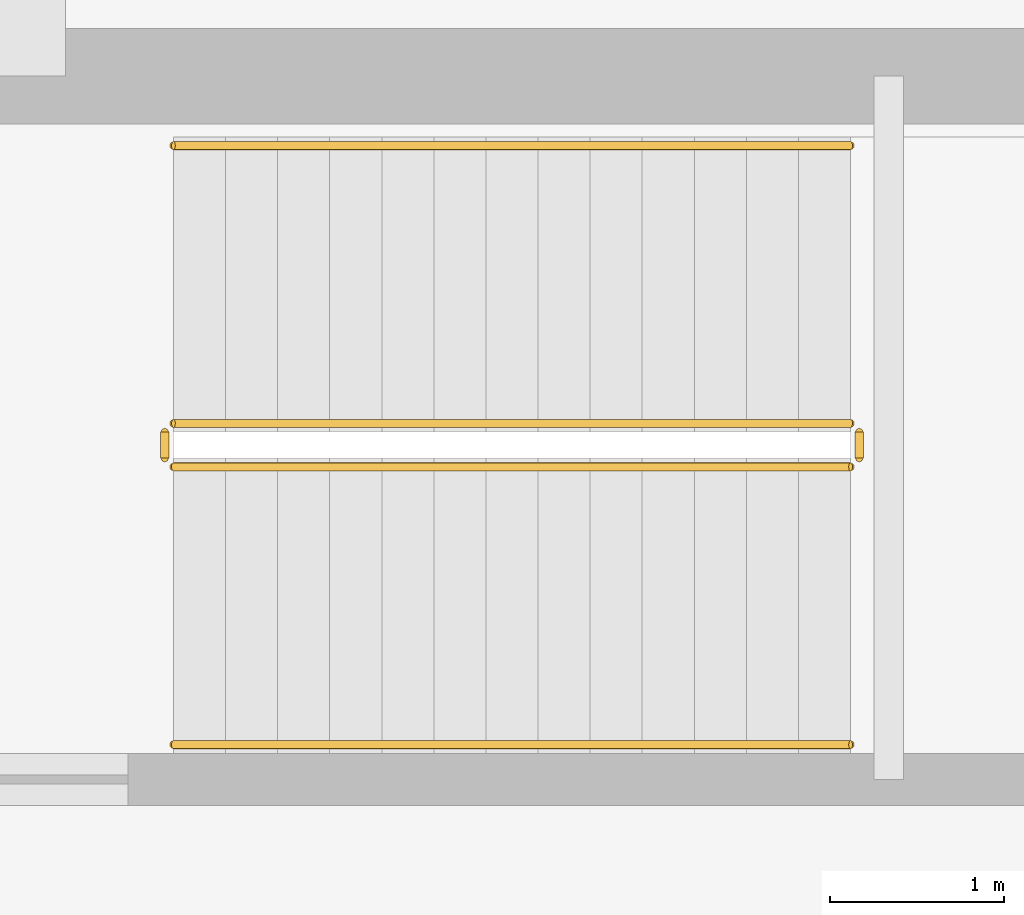
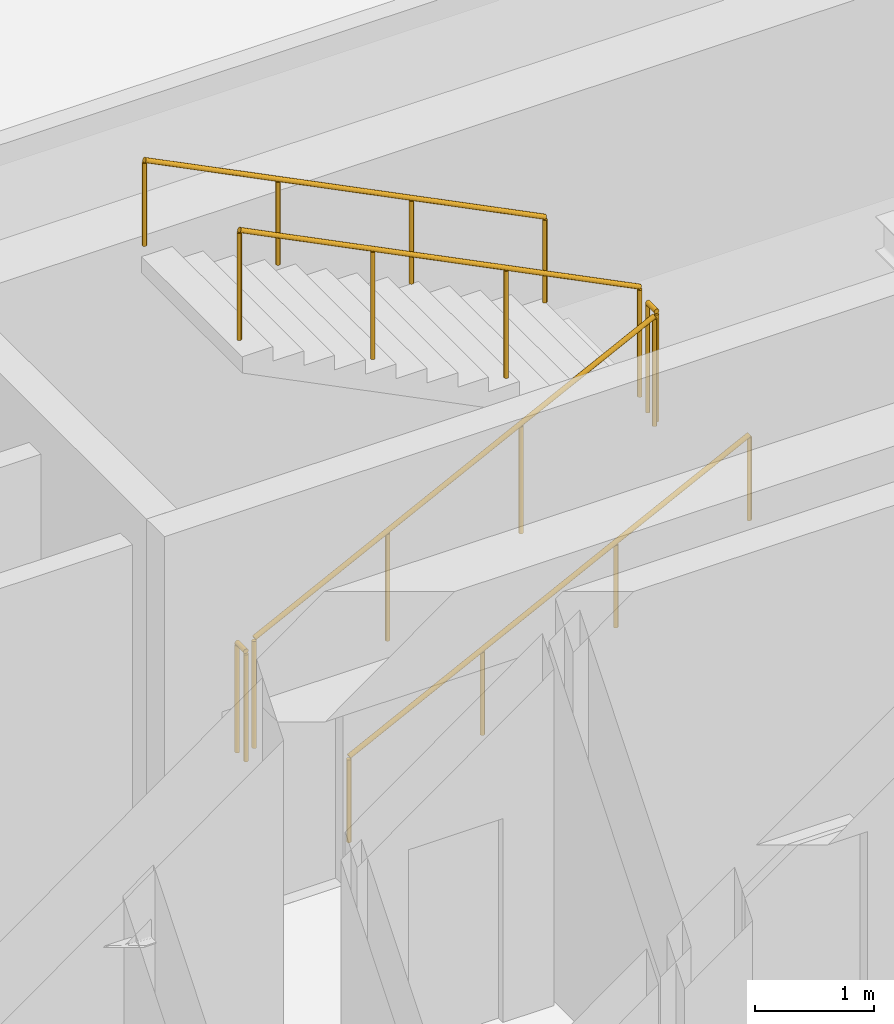
# One storey, part 26 of 31: 6 railings.
"""IFC4 building model written with IfcOpenShell, lengths in metres."""

from ifc_helpers import new_model, si_unit, direction, frame, origin, origin_2d, place, context, subcontext, project, spatial, circle, extrude, material, type_object, element, save


model = new_model("IFC4")

# Units and contexts
model_context = context("Model", 3, precision=1e-05, world=origin(), true_north=direction((0.0, 1.0)))
body_context = subcontext(model_context, "Body", "Model", "MODEL_VIEW")
ifc_project = project(units=[si_unit("LENGTHUNIT", "METRE"), si_unit("AREAUNIT", "SQUARE_METRE"), si_unit("VOLUMEUNIT", "CUBIC_METRE"), si_unit("PLANEANGLEUNIT", "RADIAN"), si_unit("MASSUNIT", "GRAM", prefix="KILO")], contexts=[model_context])

# Site, building, storey
site_placement = place(None, origin())
site = spatial("IfcSite", under=ifc_project, at=site_placement, CompositionType="ELEMENT")
building_placement = place(site_placement, origin())
building = spatial("IfcBuilding", under=site, at=building_placement, Name="Punatoya Terracotta Tower", CompositionType="ELEMENT")
storey_placement = place(building_placement, frame((0.0, 0.0, 283.800048828125)))
storey = spatial("IfcBuildingStorey", under=building, at=storey_placement, Name="L67", CompositionType="ELEMENT", Elevation=283.800048828125)

# Railings
ifc_material = material(Name="Steel S355", Category="steel")
railing_type_1 = type_object("IfcRailingType", Name="RLG-GRD-1150", PredefinedType="GUARDRAIL", material=ifc_material)
railing_1_placement = place(storey_placement, frame((-2.89990234375, 6.949951171875, 0.14990234375)))
element("IfcRailing", 1, at=railing_1_placement, inside=storey, type_object=railing_type_1, Name="L67 ST-3 stair guard 1", PredefinedType="GUARDRAIL", context=body_context, shape_type="SweptSolid", body=[
    extrude(circle(Radius=0.02392578125, at=origin_2d()), frame((0.0, 0.0, 1.1259765625), z_axis=(0.894427191, 0.0, 0.4472135955), x_axis=(0.0, 1.0, 0.0)), (0.0, 0.0, 1.0), 4.360107421875),
    extrude(circle(Radius=0.02099609375, at=origin_2d()), origin(), (0.0, 0.0, 1.0), 1.101806640625),
    extrude(circle(Radius=0.02099609375, at=origin_2d()), frame((1.300048828125, 0.0, 0.64990234375)), (0.0, 0.0, 1.0), 1.101806640625),
    extrude(circle(Radius=0.02099609375, at=origin_2d()), frame((2.599853515625, 0.0, 1.300048828125)), (0.0, 0.0, 1.0), 1.101806640625),
    extrude(circle(Radius=0.02099609375, at=origin_2d()), frame((3.89990234375, 0.0, 1.949951171875)), (0.0, 0.0, 1.0), 1.101806640625),
])
railing_2_placement = place(storey_placement, frame((1.050048828125, 7.0, 2.099853515625)))
element("IfcRailing", 2, at=railing_2_placement, inside=storey, type_object=railing_type_1, Name="L67 ST-3 stair guard 2", PredefinedType="GUARDRAIL", context=body_context, shape_type="SweptSolid", body=[
    extrude(circle(Radius=0.02392578125, at=origin_2d()), frame((0.0, 0.0, 1.1259765625), z_axis=(0.0, 1.0, 0.0), x_axis=(-1.0, 0.0, 0.0)), (0.0, 0.0, 1.0), 0.14990234375),
    extrude(circle(Radius=0.02099609375, at=origin_2d()), origin(), (0.0, 0.0, 1.0), 1.101806640625),
    extrude(circle(Radius=0.02099609375, at=origin_2d()), frame((0.0, 0.14990234375, 0.0)), (0.0, 0.0, 1.0), 1.101806640625),
])
railing_3_placement = place(storey_placement, frame((1.0, 7.199951171875, 2.25)))
element("IfcRailing", 3, at=railing_3_placement, inside=storey, type_object=railing_type_1, Name="L67 ST-3 stair guard 3", PredefinedType="GUARDRAIL", context=body_context, shape_type="SweptSolid", body=[
    extrude(circle(Radius=0.02392578125, at=origin_2d()), frame((0.0, 0.0, 1.1259765625), z_axis=(-0.894427191, 0.0, 0.4472135955), x_axis=(0.0, -1.0, 0.0)), (0.0, 0.0, 1.0), 4.360107421875),
    extrude(circle(Radius=0.02099609375, at=origin_2d()), origin(), (0.0, 0.0, 1.0), 1.101806640625),
    extrude(circle(Radius=0.02099609375, at=origin_2d()), frame((-1.300048828125, 0.0, 0.64990234375)), (0.0, 0.0, 1.0), 1.101806640625),
    extrude(circle(Radius=0.02099609375, at=origin_2d()), frame((-2.599853515625, 0.0, 1.300048828125)), (0.0, 0.0, 1.0), 1.101806640625),
    extrude(circle(Radius=0.02099609375, at=origin_2d()), frame((-3.89990234375, 0.0, 1.949951171875)), (0.0, 0.0, 1.0), 1.101806640625),
])
railing_4_placement = place(storey_placement, frame((-2.949951171875, 7.0, 0.0)))
element("IfcRailing", 4, at=railing_4_placement, inside=storey, type_object=railing_type_1, Name="L67 ST-3 stair guard 4", PredefinedType="GUARDRAIL", context=body_context, shape_type="SweptSolid", body=[
    extrude(circle(Radius=0.02392578125, at=origin_2d()), frame((0.0, 0.0, 1.1259765625), z_axis=(0.0, 1.0, 0.0), x_axis=(-1.0, 0.0, 0.0)), (0.0, 0.0, 1.0), 0.14990234375),
    extrude(circle(Radius=0.02099609375, at=origin_2d()), origin(), (0.0, 0.0, 1.0), 1.101806640625),
    extrude(circle(Radius=0.02099609375, at=origin_2d()), frame((0.0, 0.14990234375, 0.0)), (0.0, 0.0, 1.0), 1.101806640625),
])
railing_type_2 = type_object("IfcRailingType", Name="RLG-HND-900", PredefinedType="HANDRAIL", material=ifc_material)
railing_5_placement = place(storey_placement, frame((-2.89990234375, 5.35009765625, 0.14990234375)))
element("IfcRailing", 5, at=railing_5_placement, inside=storey, type_object=railing_type_2, Name="L67 ST-3 stair handrail 1", PredefinedType="HANDRAIL", context=body_context, shape_type="SweptSolid", body=[
    extrude(circle(Radius=0.02392578125, at=origin_2d()), frame((0.0, 0.0, 0.8759765625), z_axis=(0.894427191, 0.0, 0.4472135955), x_axis=(0.0, 1.0, 0.0)), (0.0, 0.0, 1.0), 4.360107421875),
    extrude(circle(Radius=0.02099609375, at=origin_2d()), origin(), (0.0, 0.0, 1.0), 0.851806640625),
    extrude(circle(Radius=0.02099609375, at=origin_2d()), frame((1.300048828125, 0.0, 0.64990234375)), (0.0, 0.0, 1.0), 0.851806640625),
    extrude(circle(Radius=0.02099609375, at=origin_2d()), frame((2.599853515625, 0.0, 1.300048828125)), (0.0, 0.0, 1.0), 0.851806640625),
    extrude(circle(Radius=0.02099609375, at=origin_2d()), frame((3.89990234375, 0.0, 1.949951171875)), (0.0, 0.0, 1.0), 0.851806640625),
])
railing_6_placement = place(storey_placement, frame((1.0, 8.800048828125, 2.25)))
element("IfcRailing", 6, at=railing_6_placement, inside=storey, type_object=railing_type_2, Name="L67 ST-3 stair handrail 2", PredefinedType="HANDRAIL", context=body_context, shape_type="SweptSolid", body=[
    extrude(circle(Radius=0.02392578125, at=origin_2d()), frame((0.0, 0.0, 0.8759765625), z_axis=(-0.894427191, 0.0, 0.4472135955), x_axis=(0.0, -1.0, 0.0)), (0.0, 0.0, 1.0), 4.360107421875),
    extrude(circle(Radius=0.02099609375, at=origin_2d()), origin(), (0.0, 0.0, 1.0), 0.851806640625),
    extrude(circle(Radius=0.02099609375, at=origin_2d()), frame((-1.300048828125, 0.0, 0.64990234375)), (0.0, 0.0, 1.0), 0.851806640625),
    extrude(circle(Radius=0.02099609375, at=origin_2d()), frame((-2.599853515625, 0.0, 1.300048828125)), (0.0, 0.0, 1.0), 0.851806640625),
    extrude(circle(Radius=0.02099609375, at=origin_2d()), frame((-3.89990234375, 0.0, 1.949951171875)), (0.0, 0.0, 1.0), 0.851806640625),
])

save(model, "model.ifc")
